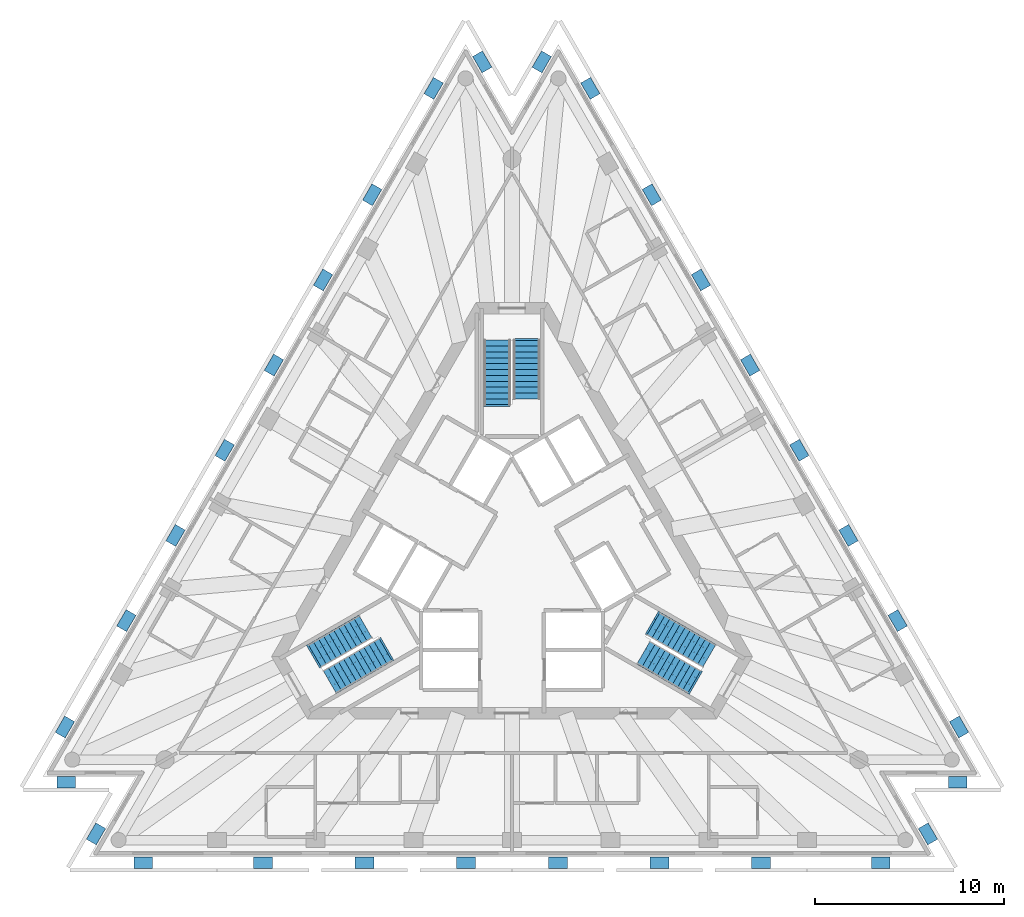
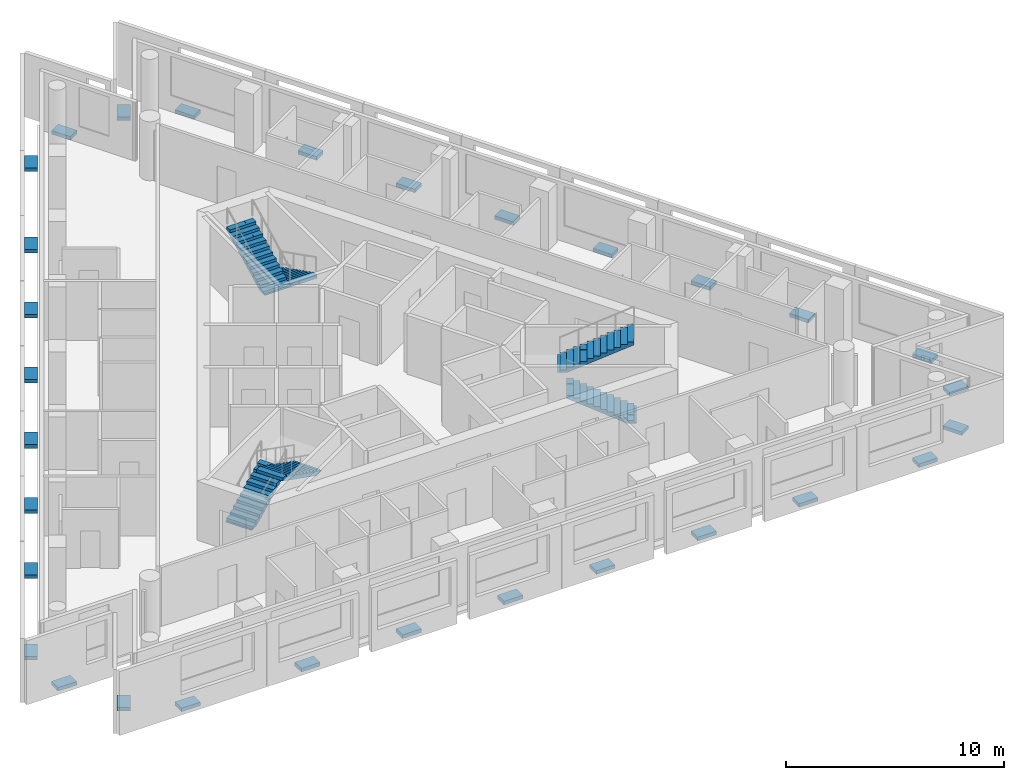
# One storey, part 8 of 10: 30 discrete accessories, 6 stair flights, 3 elements without a shape of their own.
"""IFC4 building model written with IfcOpenShell, lengths in metres."""

from ifc_helpers import new_model, si_unit, direction, frame, origin, origin_2d, place, context, subcontext, project, spatial, polyline, rectangle, outline, extrude, material, type_object, element, aggregate, save


model = new_model("IFC4")

# Units and contexts
model_context = context("Model", 3, precision=1e-05, world=origin(), true_north=direction((0.0, 1.0)))
body_context = subcontext(model_context, "Body", "Model", "MODEL_VIEW")
ifc_project = project(units=[si_unit("LENGTHUNIT", "METRE"), si_unit("AREAUNIT", "SQUARE_METRE"), si_unit("VOLUMEUNIT", "CUBIC_METRE"), si_unit("PLANEANGLEUNIT", "RADIAN"), si_unit("MASSUNIT", "GRAM", prefix="KILO")], contexts=[model_context])

# Site, building, storey
site_placement = place(None, origin())
site = spatial("IfcSite", under=ifc_project, at=site_placement, CompositionType="ELEMENT")
building_placement = place(site_placement, origin())
building = spatial("IfcBuilding", under=site, at=building_placement, Name="Triada Interchange Tower", CompositionType="ELEMENT")
storey_placement = place(building_placement, frame((0.0, 0.0, 311.5)))
storey = spatial("IfcBuildingStorey", under=building, at=storey_placement, Name="L74", CompositionType="ELEMENT", Elevation=311.5)

# Stair, stair flights
ifc_material_1 = material(Name="Concrete C35/45", Category="concrete")
stair_type = type_object("IfcStairType", Name="HALF TURN STAIR 1400", PredefinedType="HALF_TURN_STAIR", material=ifc_material_1)
stair_1_placement = place(storey_placement, origin())
stair_1 = element("IfcStair", 1, at=stair_1_placement, inside=storey, type_object=stair_type, Name="Exit stair S74-1", PredefinedType="HALF_TURN_STAIR")
stair_flight_type = type_object("IfcStairFlightType", Name="STRAIGHT STAIR FLIGHT 1400", PredefinedType="STRAIGHT", material=ifc_material_1)
stair_flight_1_placement = place(storey_placement, frame((0.800048828125, 11.60009765625, 0.0), z_axis=(0.0, 0.0, 1.0), x_axis=(0.0, -1.0, 0.0)))
stair_flight_1 = element("IfcStairFlight", 2, at=stair_flight_1_placement, type_object=stair_flight_type, Name="S74-1 flight 1", NumberOfRisers=11, NumberOfTreads=10, PredefinedType="STRAIGHT", RiserHeight=0.15652, TreadLength=0.31, context=body_context, shape_type="SweptSolid", body=[
    extrude(outline(polyline([(-0.10009765625, 0.0), (-0.10009765625, 0.02001953125), (0.0, 0.02001953125), (0.0, 0.156494140625), (0.31005859375, 0.156494140625), (0.31005859375, 0.31298828125), (0.6201171875, 0.31298828125), (0.6201171875, 0.469482421875), (0.929931640625, 0.469482421875), (0.929931640625, 0.6259765625), (1.239990234375, 0.6259765625), (1.239990234375, 0.78271484375), (1.550048828125, 0.78271484375), (1.550048828125, 0.939208984375), (1.860107421875, 0.939208984375), (1.860107421875, 1.095703125), (2.169921875, 1.095703125), (2.169921875, 1.252197265625), (2.47998046875, 1.252197265625), (2.47998046875, 1.40869140625), (2.7900390625, 1.40869140625), (2.7900390625, 1.565185546875), (3.10009765625, 1.565185546875), (3.10400390625, 1.565185546875), (3.10400390625, 1.7216796875), (3.10400390625, 1.397216796875), (0.33251953125, 0.0), (-0.10009765625, 0.0)])), frame((0.0, 0.699951171875, 0.0), z_axis=(0.0, -1.0, 0.0), x_axis=(1.0, 0.0, 0.0)), (0.0, 0.0, 1.0), 0.46533203125),
    extrude(outline(polyline([(-0.10009765625, 0.0), (-0.10009765625, 0.02001953125), (0.0, 0.02001953125), (0.0, 0.156494140625), (0.31005859375, 0.156494140625), (0.31005859375, 0.31298828125), (0.6201171875, 0.31298828125), (0.6201171875, 0.469482421875), (0.929931640625, 0.469482421875), (0.929931640625, 0.6259765625), (1.239990234375, 0.6259765625), (1.239990234375, 0.78271484375), (1.550048828125, 0.78271484375), (1.550048828125, 0.939208984375), (1.860107421875, 0.939208984375), (1.860107421875, 1.095703125), (2.169921875, 1.095703125), (2.169921875, 1.252197265625), (2.47998046875, 1.252197265625), (2.47998046875, 1.40869140625), (2.7900390625, 1.40869140625), (2.7900390625, 1.565185546875), (3.10009765625, 1.565185546875), (3.10400390625, 1.565185546875), (3.10400390625, 1.7216796875), (3.10400390625, 1.397216796875), (0.33251953125, 0.0), (-0.10009765625, 0.0)])), frame((0.0, 0.232666015625, 0.0), z_axis=(0.0, -1.0, 0.0), x_axis=(1.0, 0.0, 0.0)), (0.0, 0.0, 1.0), 0.46533203125),
    extrude(outline(polyline([(-0.10009765625, 0.0), (-0.10009765625, 0.02001953125), (0.0, 0.02001953125), (0.0, 0.156494140625), (0.31005859375, 0.156494140625), (0.31005859375, 0.31298828125), (0.6201171875, 0.31298828125), (0.6201171875, 0.469482421875), (0.929931640625, 0.469482421875), (0.929931640625, 0.6259765625), (1.239990234375, 0.6259765625), (1.239990234375, 0.78271484375), (1.550048828125, 0.78271484375), (1.550048828125, 0.939208984375), (1.860107421875, 0.939208984375), (1.860107421875, 1.095703125), (2.169921875, 1.095703125), (2.169921875, 1.252197265625), (2.47998046875, 1.252197265625), (2.47998046875, 1.40869140625), (2.7900390625, 1.40869140625), (2.7900390625, 1.565185546875), (3.10009765625, 1.565185546875), (3.10400390625, 1.565185546875), (3.10400390625, 1.7216796875), (3.10400390625, 1.397216796875), (0.33251953125, 0.0), (-0.10009765625, 0.0)])), frame((0.0, -0.234619140625, 0.0), z_axis=(0.0, -1.0, 0.0), x_axis=(1.0, 0.0, 0.0)), (0.0, 0.0, 1.0), 0.46533203125),
])
stair_flight_2_placement = place(storey_placement, frame((-0.800048828125, 8.18994140625, 1.7216796875), z_axis=(0.0, 0.0, 1.0), x_axis=(0.0, 1.0, 0.0)))
stair_flight_2 = element("IfcStairFlight", 3, at=stair_flight_2_placement, type_object=stair_flight_type, Name="S74-1 flight 2", NumberOfRisers=12, NumberOfTreads=11, PredefinedType="STRAIGHT", RiserHeight=0.15652, TreadLength=0.31, context=body_context, shape_type="SweptSolid", body=[
    extrude(outline(polyline([(-0.10009765625, 0.0), (-0.10009765625, 0.02001953125), (0.0, 0.02001953125), (0.0, 0.156494140625), (0.31005859375, 0.156494140625), (0.31005859375, 0.31298828125), (0.6201171875, 0.31298828125), (0.6201171875, 0.469482421875), (0.929931640625, 0.469482421875), (0.929931640625, 0.6259765625), (1.239990234375, 0.6259765625), (1.239990234375, 0.78271484375), (1.550048828125, 0.78271484375), (1.550048828125, 0.939208984375), (1.860107421875, 0.939208984375), (1.860107421875, 1.095703125), (2.169921875, 1.095703125), (2.169921875, 1.252197265625), (2.47998046875, 1.252197265625), (2.47998046875, 1.40869140625), (2.7900390625, 1.40869140625), (2.7900390625, 1.565185546875), (3.10009765625, 1.565185546875), (3.10009765625, 1.7216796875), (3.409912109375, 1.7216796875), (3.4140625, 1.7216796875), (3.4140625, 1.878173828125), (3.4140625, 1.5537109375), (0.33251953125, 0.0), (-0.10009765625, 0.0)])), frame((0.0, 0.699951171875, 0.0), z_axis=(0.0, -1.0, 0.0), x_axis=(1.0, 0.0, 0.0)), (0.0, 0.0, 1.0), 0.46533203125),
    extrude(outline(polyline([(-0.10009765625, 0.0), (-0.10009765625, 0.02001953125), (0.0, 0.02001953125), (0.0, 0.156494140625), (0.31005859375, 0.156494140625), (0.31005859375, 0.31298828125), (0.6201171875, 0.31298828125), (0.6201171875, 0.469482421875), (0.929931640625, 0.469482421875), (0.929931640625, 0.6259765625), (1.239990234375, 0.6259765625), (1.239990234375, 0.78271484375), (1.550048828125, 0.78271484375), (1.550048828125, 0.939208984375), (1.860107421875, 0.939208984375), (1.860107421875, 1.095703125), (2.169921875, 1.095703125), (2.169921875, 1.252197265625), (2.47998046875, 1.252197265625), (2.47998046875, 1.40869140625), (2.7900390625, 1.40869140625), (2.7900390625, 1.565185546875), (3.10009765625, 1.565185546875), (3.10009765625, 1.7216796875), (3.409912109375, 1.7216796875), (3.4140625, 1.7216796875), (3.4140625, 1.878173828125), (3.4140625, 1.5537109375), (0.33251953125, 0.0), (-0.10009765625, 0.0)])), frame((0.0, 0.232666015625, 0.0), z_axis=(0.0, -1.0, 0.0), x_axis=(1.0, 0.0, 0.0)), (0.0, 0.0, 1.0), 0.46533203125),
    extrude(outline(polyline([(-0.10009765625, 0.0), (-0.10009765625, 0.02001953125), (0.0, 0.02001953125), (0.0, 0.156494140625), (0.31005859375, 0.156494140625), (0.31005859375, 0.31298828125), (0.6201171875, 0.31298828125), (0.6201171875, 0.469482421875), (0.929931640625, 0.469482421875), (0.929931640625, 0.6259765625), (1.239990234375, 0.6259765625), (1.239990234375, 0.78271484375), (1.550048828125, 0.78271484375), (1.550048828125, 0.939208984375), (1.860107421875, 0.939208984375), (1.860107421875, 1.095703125), (2.169921875, 1.095703125), (2.169921875, 1.252197265625), (2.47998046875, 1.252197265625), (2.47998046875, 1.40869140625), (2.7900390625, 1.40869140625), (2.7900390625, 1.565185546875), (3.10009765625, 1.565185546875), (3.10009765625, 1.7216796875), (3.409912109375, 1.7216796875), (3.4140625, 1.7216796875), (3.4140625, 1.878173828125), (3.4140625, 1.5537109375), (0.33251953125, 0.0), (-0.10009765625, 0.0)])), frame((0.0, -0.234619140625, 0.0), z_axis=(0.0, -1.0, 0.0), x_axis=(1.0, 0.0, 0.0)), (0.0, 0.0, 1.0), 0.46533203125),
])
aggregate(stair_1, [stair_flight_1, stair_flight_2])

stair_2_placement = place(storey_placement, origin())
stair_2 = element("IfcStair", 4, at=stair_2_placement, inside=storey, type_object=stair_type, Name="Exit stair S74-2", PredefinedType="HALF_TURN_STAIR")
stair_flight_3_placement = place(storey_placement, frame((-10.446044921875, -5.10693359375, 0.0), z_axis=(0.0, 0.0, 1.0), x_axis=(0.866025403784, 0.5, 0.0)))
stair_flight_3 = element("IfcStairFlight", 5, at=stair_flight_3_placement, type_object=stair_flight_type, Name="S74-2 flight 1", NumberOfRisers=11, NumberOfTreads=10, PredefinedType="STRAIGHT", RiserHeight=0.15652, TreadLength=0.31, context=body_context, shape_type="SweptSolid", body=[
    extrude(outline(polyline([(-0.10009765625, 0.0), (-0.10009765625, 0.02001953125), (0.0, 0.02001953125), (0.0, 0.156494140625), (0.31005859375, 0.156494140625), (0.31005859375, 0.31298828125), (0.6201171875, 0.31298828125), (0.6201171875, 0.469482421875), (0.929931640625, 0.469482421875), (0.929931640625, 0.6259765625), (1.239990234375, 0.6259765625), (1.239990234375, 0.78271484375), (1.550048828125, 0.78271484375), (1.550048828125, 0.939208984375), (1.860107421875, 0.939208984375), (1.860107421875, 1.095703125), (2.169921875, 1.095703125), (2.169921875, 1.252197265625), (2.47998046875, 1.252197265625), (2.47998046875, 1.40869140625), (2.7900390625, 1.40869140625), (2.7900390625, 1.565185546875), (3.10009765625, 1.565185546875), (3.10400390625, 1.565185546875), (3.10400390625, 1.7216796875), (3.10400390625, 1.397216796875), (0.33251953125, 0.0), (-0.10009765625, 0.0)])), frame((0.0, 0.699951171875, 0.0), z_axis=(0.0, -1.0, 0.0), x_axis=(1.0, 0.0, 0.0)), (0.0, 0.0, 1.0), 0.46533203125),
    extrude(outline(polyline([(-0.10009765625, 0.0), (-0.10009765625, 0.02001953125), (0.0, 0.02001953125), (0.0, 0.156494140625), (0.31005859375, 0.156494140625), (0.31005859375, 0.31298828125), (0.6201171875, 0.31298828125), (0.6201171875, 0.469482421875), (0.929931640625, 0.469482421875), (0.929931640625, 0.6259765625), (1.239990234375, 0.6259765625), (1.239990234375, 0.78271484375), (1.550048828125, 0.78271484375), (1.550048828125, 0.939208984375), (1.860107421875, 0.939208984375), (1.860107421875, 1.095703125), (2.169921875, 1.095703125), (2.169921875, 1.252197265625), (2.47998046875, 1.252197265625), (2.47998046875, 1.40869140625), (2.7900390625, 1.40869140625), (2.7900390625, 1.565185546875), (3.10009765625, 1.565185546875), (3.10400390625, 1.565185546875), (3.10400390625, 1.7216796875), (3.10400390625, 1.397216796875), (0.33251953125, 0.0), (-0.10009765625, 0.0)])), frame((0.0, 0.232666015625, 0.0), z_axis=(0.0, -1.0, 0.0), x_axis=(1.0, 0.0, 0.0)), (0.0, 0.0, 1.0), 0.46533203125),
    extrude(outline(polyline([(-0.10009765625, 0.0), (-0.10009765625, 0.02001953125), (0.0, 0.02001953125), (0.0, 0.156494140625), (0.31005859375, 0.156494140625), (0.31005859375, 0.31298828125), (0.6201171875, 0.31298828125), (0.6201171875, 0.469482421875), (0.929931640625, 0.469482421875), (0.929931640625, 0.6259765625), (1.239990234375, 0.6259765625), (1.239990234375, 0.78271484375), (1.550048828125, 0.78271484375), (1.550048828125, 0.939208984375), (1.860107421875, 0.939208984375), (1.860107421875, 1.095703125), (2.169921875, 1.095703125), (2.169921875, 1.252197265625), (2.47998046875, 1.252197265625), (2.47998046875, 1.40869140625), (2.7900390625, 1.40869140625), (2.7900390625, 1.565185546875), (3.10009765625, 1.565185546875), (3.10400390625, 1.565185546875), (3.10400390625, 1.7216796875), (3.10400390625, 1.397216796875), (0.33251953125, 0.0), (-0.10009765625, 0.0)])), frame((0.0, -0.234619140625, 0.0), z_axis=(0.0, -1.0, 0.0), x_axis=(1.0, 0.0, 0.0)), (0.0, 0.0, 1.0), 0.46533203125),
])
stair_flight_4_placement = place(storey_placement, frame((-6.693115234375, -4.7880859375, 1.7216796875), z_axis=(0.0, 0.0, 1.0), x_axis=(-0.866025403784, -0.5, 0.0)))
stair_flight_4 = element("IfcStairFlight", 6, at=stair_flight_4_placement, type_object=stair_flight_type, Name="S74-2 flight 2", NumberOfRisers=12, NumberOfTreads=11, PredefinedType="STRAIGHT", RiserHeight=0.15652, TreadLength=0.31, context=body_context, shape_type="SweptSolid", body=[
    extrude(outline(polyline([(-0.10009765625, 0.0), (-0.10009765625, 0.02001953125), (0.0, 0.02001953125), (0.0, 0.156494140625), (0.31005859375, 0.156494140625), (0.31005859375, 0.31298828125), (0.6201171875, 0.31298828125), (0.6201171875, 0.469482421875), (0.929931640625, 0.469482421875), (0.929931640625, 0.6259765625), (1.239990234375, 0.6259765625), (1.239990234375, 0.78271484375), (1.550048828125, 0.78271484375), (1.550048828125, 0.939208984375), (1.860107421875, 0.939208984375), (1.860107421875, 1.095703125), (2.169921875, 1.095703125), (2.169921875, 1.252197265625), (2.47998046875, 1.252197265625), (2.47998046875, 1.40869140625), (2.7900390625, 1.40869140625), (2.7900390625, 1.565185546875), (3.10009765625, 1.565185546875), (3.10009765625, 1.7216796875), (3.409912109375, 1.7216796875), (3.4140625, 1.7216796875), (3.4140625, 1.878173828125), (3.4140625, 1.5537109375), (0.33251953125, 0.0), (-0.10009765625, 0.0)])), frame((0.0, 0.699951171875, 0.0), z_axis=(0.0, -1.0, 0.0), x_axis=(1.0, 0.0, 0.0)), (0.0, 0.0, 1.0), 0.46533203125),
    extrude(outline(polyline([(-0.10009765625, 0.0), (-0.10009765625, 0.02001953125), (0.0, 0.02001953125), (0.0, 0.156494140625), (0.31005859375, 0.156494140625), (0.31005859375, 0.31298828125), (0.6201171875, 0.31298828125), (0.6201171875, 0.469482421875), (0.929931640625, 0.469482421875), (0.929931640625, 0.6259765625), (1.239990234375, 0.6259765625), (1.239990234375, 0.78271484375), (1.550048828125, 0.78271484375), (1.550048828125, 0.939208984375), (1.860107421875, 0.939208984375), (1.860107421875, 1.095703125), (2.169921875, 1.095703125), (2.169921875, 1.252197265625), (2.47998046875, 1.252197265625), (2.47998046875, 1.40869140625), (2.7900390625, 1.40869140625), (2.7900390625, 1.565185546875), (3.10009765625, 1.565185546875), (3.10009765625, 1.7216796875), (3.409912109375, 1.7216796875), (3.4140625, 1.7216796875), (3.4140625, 1.878173828125), (3.4140625, 1.5537109375), (0.33251953125, 0.0), (-0.10009765625, 0.0)])), frame((0.0, 0.232666015625, 0.0), z_axis=(0.0, -1.0, 0.0), x_axis=(1.0, 0.0, 0.0)), (0.0, 0.0, 1.0), 0.46533203125),
    extrude(outline(polyline([(-0.10009765625, 0.0), (-0.10009765625, 0.02001953125), (0.0, 0.02001953125), (0.0, 0.156494140625), (0.31005859375, 0.156494140625), (0.31005859375, 0.31298828125), (0.6201171875, 0.31298828125), (0.6201171875, 0.469482421875), (0.929931640625, 0.469482421875), (0.929931640625, 0.6259765625), (1.239990234375, 0.6259765625), (1.239990234375, 0.78271484375), (1.550048828125, 0.78271484375), (1.550048828125, 0.939208984375), (1.860107421875, 0.939208984375), (1.860107421875, 1.095703125), (2.169921875, 1.095703125), (2.169921875, 1.252197265625), (2.47998046875, 1.252197265625), (2.47998046875, 1.40869140625), (2.7900390625, 1.40869140625), (2.7900390625, 1.565185546875), (3.10009765625, 1.565185546875), (3.10009765625, 1.7216796875), (3.409912109375, 1.7216796875), (3.4140625, 1.7216796875), (3.4140625, 1.878173828125), (3.4140625, 1.5537109375), (0.33251953125, 0.0), (-0.10009765625, 0.0)])), frame((0.0, -0.234619140625, 0.0), z_axis=(0.0, -1.0, 0.0), x_axis=(1.0, 0.0, 0.0)), (0.0, 0.0, 1.0), 0.46533203125),
])
aggregate(stair_2, [stair_flight_3, stair_flight_4])

stair_3_placement = place(storey_placement, origin())
stair_3 = element("IfcStair", 7, at=stair_3_placement, inside=storey, type_object=stair_type, Name="Exit stair S74-3", PredefinedType="HALF_TURN_STAIR")
stair_flight_5_placement = place(storey_placement, frame((9.64599609375, -6.492919921875, 0.0), z_axis=(0.0, 0.0, 1.0), x_axis=(-0.866025403784, 0.5, 0.0)))
stair_flight_5 = element("IfcStairFlight", 8, at=stair_flight_5_placement, type_object=stair_flight_type, Name="S74-3 flight 1", NumberOfRisers=11, NumberOfTreads=10, PredefinedType="STRAIGHT", RiserHeight=0.15652, TreadLength=0.31, context=body_context, shape_type="SweptSolid", body=[
    extrude(outline(polyline([(-0.10009765625, 0.0), (-0.10009765625, 0.02001953125), (0.0, 0.02001953125), (0.0, 0.156494140625), (0.31005859375, 0.156494140625), (0.31005859375, 0.31298828125), (0.6201171875, 0.31298828125), (0.6201171875, 0.469482421875), (0.929931640625, 0.469482421875), (0.929931640625, 0.6259765625), (1.239990234375, 0.6259765625), (1.239990234375, 0.78271484375), (1.550048828125, 0.78271484375), (1.550048828125, 0.939208984375), (1.860107421875, 0.939208984375), (1.860107421875, 1.095703125), (2.169921875, 1.095703125), (2.169921875, 1.252197265625), (2.47998046875, 1.252197265625), (2.47998046875, 1.40869140625), (2.7900390625, 1.40869140625), (2.7900390625, 1.565185546875), (3.10009765625, 1.565185546875), (3.10400390625, 1.565185546875), (3.10400390625, 1.7216796875), (3.10400390625, 1.397216796875), (0.33251953125, 0.0), (-0.10009765625, 0.0)])), frame((0.0, 0.699951171875, 0.0), z_axis=(0.0, -1.0, 0.0), x_axis=(1.0, 0.0, 0.0)), (0.0, 0.0, 1.0), 0.46533203125),
    extrude(outline(polyline([(-0.10009765625, 0.0), (-0.10009765625, 0.02001953125), (0.0, 0.02001953125), (0.0, 0.156494140625), (0.31005859375, 0.156494140625), (0.31005859375, 0.31298828125), (0.6201171875, 0.31298828125), (0.6201171875, 0.469482421875), (0.929931640625, 0.469482421875), (0.929931640625, 0.6259765625), (1.239990234375, 0.6259765625), (1.239990234375, 0.78271484375), (1.550048828125, 0.78271484375), (1.550048828125, 0.939208984375), (1.860107421875, 0.939208984375), (1.860107421875, 1.095703125), (2.169921875, 1.095703125), (2.169921875, 1.252197265625), (2.47998046875, 1.252197265625), (2.47998046875, 1.40869140625), (2.7900390625, 1.40869140625), (2.7900390625, 1.565185546875), (3.10009765625, 1.565185546875), (3.10400390625, 1.565185546875), (3.10400390625, 1.7216796875), (3.10400390625, 1.397216796875), (0.33251953125, 0.0), (-0.10009765625, 0.0)])), frame((0.0, 0.232666015625, 0.0), z_axis=(0.0, -1.0, 0.0), x_axis=(1.0, 0.0, 0.0)), (0.0, 0.0, 1.0), 0.46533203125),
    extrude(outline(polyline([(-0.10009765625, 0.0), (-0.10009765625, 0.02001953125), (0.0, 0.02001953125), (0.0, 0.156494140625), (0.31005859375, 0.156494140625), (0.31005859375, 0.31298828125), (0.6201171875, 0.31298828125), (0.6201171875, 0.469482421875), (0.929931640625, 0.469482421875), (0.929931640625, 0.6259765625), (1.239990234375, 0.6259765625), (1.239990234375, 0.78271484375), (1.550048828125, 0.78271484375), (1.550048828125, 0.939208984375), (1.860107421875, 0.939208984375), (1.860107421875, 1.095703125), (2.169921875, 1.095703125), (2.169921875, 1.252197265625), (2.47998046875, 1.252197265625), (2.47998046875, 1.40869140625), (2.7900390625, 1.40869140625), (2.7900390625, 1.565185546875), (3.10009765625, 1.565185546875), (3.10400390625, 1.565185546875), (3.10400390625, 1.7216796875), (3.10400390625, 1.397216796875), (0.33251953125, 0.0), (-0.10009765625, 0.0)])), frame((0.0, -0.234619140625, 0.0), z_axis=(0.0, -1.0, 0.0), x_axis=(1.0, 0.0, 0.0)), (0.0, 0.0, 1.0), 0.46533203125),
])
stair_flight_6_placement = place(storey_placement, frame((7.492919921875, -3.402099609375, 1.7216796875), z_axis=(0.0, 0.0, 1.0), x_axis=(0.866025403784, -0.5, 0.0)))
stair_flight_6 = element("IfcStairFlight", 9, at=stair_flight_6_placement, type_object=stair_flight_type, Name="S74-3 flight 2", NumberOfRisers=12, NumberOfTreads=11, PredefinedType="STRAIGHT", RiserHeight=0.15652, TreadLength=0.31, context=body_context, shape_type="SweptSolid", body=[
    extrude(outline(polyline([(-0.10009765625, 0.0), (-0.10009765625, 0.02001953125), (0.0, 0.02001953125), (0.0, 0.156494140625), (0.31005859375, 0.156494140625), (0.31005859375, 0.31298828125), (0.6201171875, 0.31298828125), (0.6201171875, 0.469482421875), (0.929931640625, 0.469482421875), (0.929931640625, 0.6259765625), (1.239990234375, 0.6259765625), (1.239990234375, 0.78271484375), (1.550048828125, 0.78271484375), (1.550048828125, 0.939208984375), (1.860107421875, 0.939208984375), (1.860107421875, 1.095703125), (2.169921875, 1.095703125), (2.169921875, 1.252197265625), (2.47998046875, 1.252197265625), (2.47998046875, 1.40869140625), (2.7900390625, 1.40869140625), (2.7900390625, 1.565185546875), (3.10009765625, 1.565185546875), (3.10009765625, 1.7216796875), (3.409912109375, 1.7216796875), (3.4140625, 1.7216796875), (3.4140625, 1.878173828125), (3.4140625, 1.5537109375), (0.33251953125, 0.0), (-0.10009765625, 0.0)])), frame((0.0, 0.699951171875, 0.0), z_axis=(0.0, -1.0, 0.0), x_axis=(1.0, 0.0, 0.0)), (0.0, 0.0, 1.0), 0.46533203125),
    extrude(outline(polyline([(-0.10009765625, 0.0), (-0.10009765625, 0.02001953125), (0.0, 0.02001953125), (0.0, 0.156494140625), (0.31005859375, 0.156494140625), (0.31005859375, 0.31298828125), (0.6201171875, 0.31298828125), (0.6201171875, 0.469482421875), (0.929931640625, 0.469482421875), (0.929931640625, 0.6259765625), (1.239990234375, 0.6259765625), (1.239990234375, 0.78271484375), (1.550048828125, 0.78271484375), (1.550048828125, 0.939208984375), (1.860107421875, 0.939208984375), (1.860107421875, 1.095703125), (2.169921875, 1.095703125), (2.169921875, 1.252197265625), (2.47998046875, 1.252197265625), (2.47998046875, 1.40869140625), (2.7900390625, 1.40869140625), (2.7900390625, 1.565185546875), (3.10009765625, 1.565185546875), (3.10009765625, 1.7216796875), (3.409912109375, 1.7216796875), (3.4140625, 1.7216796875), (3.4140625, 1.878173828125), (3.4140625, 1.5537109375), (0.33251953125, 0.0), (-0.10009765625, 0.0)])), frame((0.0, 0.232666015625, 0.0), z_axis=(0.0, -1.0, 0.0), x_axis=(1.0, 0.0, 0.0)), (0.0, 0.0, 1.0), 0.46533203125),
    extrude(outline(polyline([(-0.10009765625, 0.0), (-0.10009765625, 0.02001953125), (0.0, 0.02001953125), (0.0, 0.156494140625), (0.31005859375, 0.156494140625), (0.31005859375, 0.31298828125), (0.6201171875, 0.31298828125), (0.6201171875, 0.469482421875), (0.929931640625, 0.469482421875), (0.929931640625, 0.6259765625), (1.239990234375, 0.6259765625), (1.239990234375, 0.78271484375), (1.550048828125, 0.78271484375), (1.550048828125, 0.939208984375), (1.860107421875, 0.939208984375), (1.860107421875, 1.095703125), (2.169921875, 1.095703125), (2.169921875, 1.252197265625), (2.47998046875, 1.252197265625), (2.47998046875, 1.40869140625), (2.7900390625, 1.40869140625), (2.7900390625, 1.565185546875), (3.10009765625, 1.565185546875), (3.10009765625, 1.7216796875), (3.409912109375, 1.7216796875), (3.4140625, 1.7216796875), (3.4140625, 1.878173828125), (3.4140625, 1.5537109375), (0.33251953125, 0.0), (-0.10009765625, 0.0)])), frame((0.0, -0.234619140625, 0.0), z_axis=(0.0, -1.0, 0.0), x_axis=(1.0, 0.0, 0.0)), (0.0, 0.0, 1.0), 0.46533203125),
])
aggregate(stair_3, [stair_flight_5, stair_flight_6])

# Discrete accessories
ifc_material_2 = material(Name="Steel S355", Category="steel")
discrete_accessory_type = type_object("IfcDiscreteAccessoryType", Name="Steel bracket outer skin", PredefinedType="BRACKET", material=ifc_material_2)
for number, where, z_axis, x_axis, name in (
    (10, (-4.14892578125, 24.93994140625, -0.27001953125), (0.0, 0.0, 1.0), (-0.866024548572, 0.500001481269, 0.0), "Bracket L74 01"),
    (11, (-7.402099609375, 19.305908203125, -0.27001953125), (0.0, 0.0, 1.0), (-0.866024548572, 0.500001481269, 0.0), "Bracket L74 02"),
    (12, (-10.0048828125, 14.7958984375, -0.27001953125), (0.0, 0.0, 1.0), (-0.866024548572, 0.500001481269, 0.0), "Bracket L74 03"),
    (13, (-12.60888671875, 10.285888671875, -0.27001953125), (0.0, 0.0, 1.0), (-0.866024548572, 0.500001481269, 0.0), "Bracket L74 04"),
    (14, (-15.212890625, 5.777099609375, -0.27001953125), (0.0, 0.0, 1.0), (-0.866024548572, 0.500001481269, 0.0), "Bracket L74 05"),
    (15, (-17.81591796875, 1.26708984375, -0.27001953125), (0.0, 0.0, 1.0), (-0.866024548572, 0.500001481269, 0.0), "Bracket L74 06"),
    (16, (-20.419921875, -3.242919921875, -0.27001953125), (0.0, 0.0, 1.0), (-0.866024548572, 0.500001481269, 0.0), "Bracket L74 07"),
    (17, (-23.673095703125, -8.876953125, -0.27001953125), (0.0, 0.0, 1.0), (-0.866024548572, 0.500001481269, 0.0), "Bracket L74 08"),
    (18, (-23.60009765625, -11.806884765625, -0.27001953125), (0.0, 0.0, 1.0), (0.0, -1.0, 0.0), "Bracket L74 09"),
    (19, (-22.02490234375, -14.534912109375, -0.27001953125), (0.0, 0.0, 1.0), (-0.866043266677, 0.499969059287, 0.0), "Bracket L74 10"),
    (20, (-19.52392578125, -16.06298828125, -0.27001953125), (0.0, 0.0, 1.0), (0.0, -1.0, 0.0), "Bracket L74 11"),
    (21, (-13.179931640625, -16.06298828125, -0.27001953125), (0.0, 0.0, 1.0), (0.0, -1.0, 0.0), "Bracket L74 12"),
    (22, (-7.81103515625, -16.06298828125, -0.27001953125), (0.0, 0.0, 1.0), (0.0, -1.0, 0.0), "Bracket L74 13"),
    (23, (-2.44189453125, -16.06298828125, -0.27001953125), (0.0, 0.0, 1.0), (0.0, -1.0, 0.0), "Bracket L74 14"),
    (24, (2.44189453125, -16.06298828125, -0.27001953125), (0.0, 0.0, 1.0), (0.0, -1.0, 0.0), "Bracket L74 15"),
    (25, (7.81103515625, -16.06298828125, -0.27001953125), (0.0, 0.0, 1.0), (0.0, -1.0, 0.0), "Bracket L74 16"),
    (26, (13.179931640625, -16.06298828125, -0.27001953125), (0.0, 0.0, 1.0), (0.0, -1.0, 0.0), "Bracket L74 17"),
    (27, (19.52392578125, -16.06298828125, -0.27001953125), (0.0, 0.0, 1.0), (0.0, -1.0, 0.0), "Bracket L74 18"),
    (28, (22.02490234375, -14.534912109375, -0.27001953125), (0.0, 0.0, 1.0), (0.866043266677, 0.499969059287, 0.0), "Bracket L74 19"),
    (29, (23.60009765625, -11.806884765625, -0.27001953125), (0.0, 0.0, 1.0), (0.0, -1.0, 0.0), "Bracket L74 20"),
    (30, (23.673095703125, -8.876953125, -0.27001953125), (0.0, 0.0, 1.0), (0.866024548572, 0.500001481269, 0.0), "Bracket L74 21"),
    (31, (20.419921875, -3.242919921875, -0.27001953125), (0.0, 0.0, 1.0), (0.866024548572, 0.500001481269, 0.0), "Bracket L74 22"),
    (32, (17.81591796875, 1.26708984375, -0.27001953125), (0.0, 0.0, 1.0), (0.866024548572, 0.500001481269, 0.0), "Bracket L74 23"),
    (33, (15.212890625, 5.777099609375, -0.27001953125), (0.0, 0.0, 1.0), (0.866024548572, 0.500001481269, 0.0), "Bracket L74 24"),
    (34, (12.60888671875, 10.285888671875, -0.27001953125), (0.0, 0.0, 1.0), (0.866024548572, 0.500001481269, 0.0), "Bracket L74 25"),
    (35, (10.0048828125, 14.7958984375, -0.27001953125), (0.0, 0.0, 1.0), (0.866024548572, 0.500001481269, 0.0), "Bracket L74 26"),
    (36, (7.402099609375, 19.305908203125, -0.27001953125), (0.0, 0.0, 1.0), (0.866024548572, 0.500001481269, 0.0), "Bracket L74 27"),
    (37, (4.14892578125, 24.93994140625, -0.27001953125), (0.0, 0.0, 1.0), (0.866024548572, 0.500001481269, 0.0), "Bracket L74 28"),
    (38, (1.574951171875, 26.342041015625, -0.27001953125), (0.0, 0.0, 1.0), (-0.866043266677, 0.499969059287, 0.0), "Bracket L74 29"),
    (39, (-1.574951171875, 26.342041015625, -0.27001953125), (0.0, 0.0, 1.0), (0.866043266677, 0.499969059287, 0.0), "Bracket L74 30"),
):
    element("IfcDiscreteAccessory", number, at=place(storey_placement, frame(where, z_axis=z_axis, x_axis=x_axis)), inside=storey, type_object=discrete_accessory_type, Name=name, PredefinedType="BRACKET", context=body_context, shape_type="SweptSolid", body=[
        extrude(rectangle(XDim=0.60009765625, YDim=1.0, at=origin_2d()), origin(), (0.0, 0.0, 1.0), 0.199951171875),
    ])

save(model, "model.ifc")
